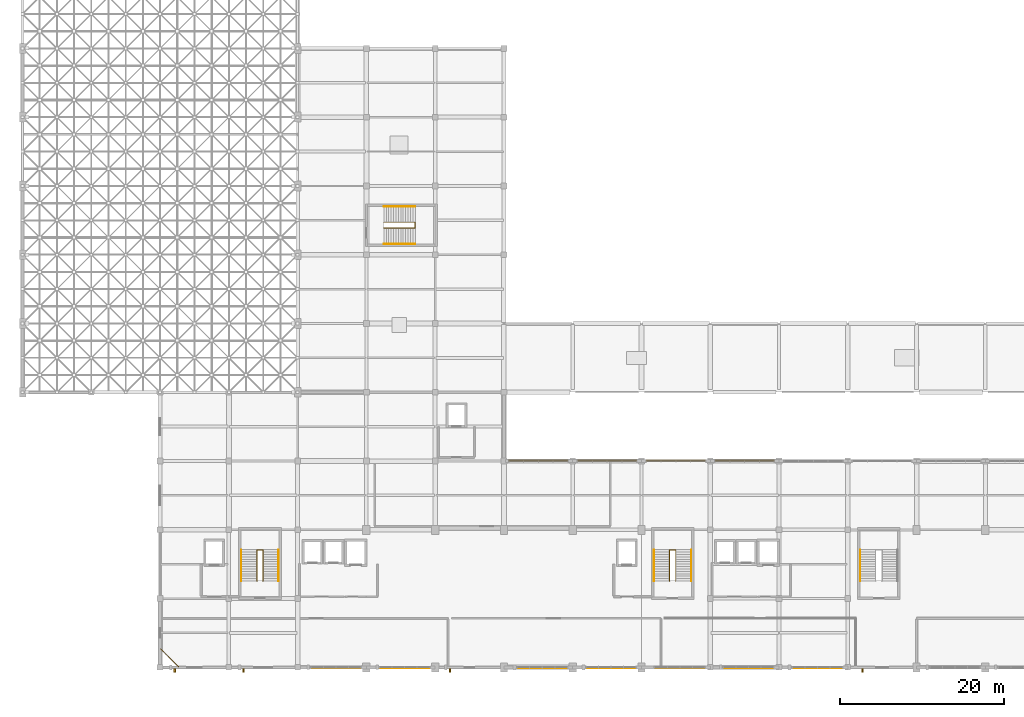
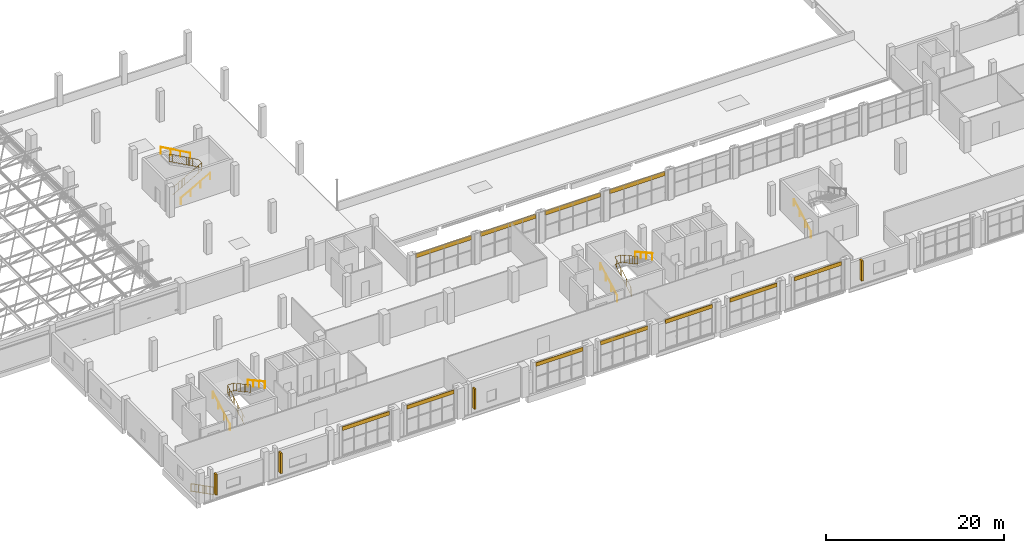
# One storey, part 61 of 64: 11 railings, 8 shading devices, 7 coverings.
"""IFC4 building model written with IfcOpenShell, lengths in metres."""

from ifc_helpers import new_model, si_unit, derived_unit, direction, frame, origin, origin_2d, place, context, subcontext, project, spatial, rectangle, circle, extrude, material, layer, layer_set, type_object, element, save


model = new_model("IFC4")

# Units and contexts
model_context = context("Model", 3, precision=1e-05, world=origin(), true_north=direction((0.0, 1.0)))
body_context = subcontext(model_context, "Body", "Model", "MODEL_VIEW")
ifc_project = project(units=[si_unit("LENGTHUNIT", "METRE"), si_unit("AREAUNIT", "SQUARE_METRE"), si_unit("VOLUMEUNIT", "CUBIC_METRE"), si_unit("PLANEANGLEUNIT", "RADIAN"), si_unit("MASSUNIT", "GRAM", prefix="KILO"), derived_unit("THERMALTRANSMITTANCEUNIT", [(si_unit("POWERUNIT", "WATT"), 1), (si_unit("LENGTHUNIT", "METRE"), -2), (si_unit("THERMODYNAMICTEMPERATUREUNIT", "KELVIN"), -1)])], contexts=[model_context])

# Site, building, storey
site_placement = place(None, origin())
site = spatial("IfcSite", under=ifc_project, at=site_placement, CompositionType="ELEMENT")
building_placement = place(site_placement, origin())
building = spatial("IfcBuilding", under=site, at=building_placement, Name="Barrovel Congress Hotel", CompositionType="ELEMENT")
storey_placement = place(building_placement, frame((0.0, 0.0, 14.10009765625)))
storey = spatial("IfcBuildingStorey", under=building, at=storey_placement, Name="L03", CompositionType="ELEMENT", Elevation=14.10009765625)

# Coverings
ifc_material_1 = material(Name="Glazed Terracotta Spandrel", Category="masonry")
ifc_layer_1 = layer(ifc_material_1, 0.1201171875)
ifc_layer_set_1 = layer_set([ifc_layer_1], Name="Glazed Terracotta Spandrel")
covering_type = type_object("IfcCoveringType", Name="COV-CLAD-TERRA", PredefinedType="CLADDING", material=ifc_layer_set_1)
for number, where, z_axis, x_axis, name in (
    (1, (38.280029296875, 4.14990234375, 3.409912109375), (0.0, 0.0, 1.0), (1.0, 0.0, 0.0), "CLAD:L03:S:04"),
    (2, (46.679931640625, 4.14990234375, 3.409912109375), (0.0, 0.0, 1.0), (1.0, 0.0, 0.0), "CLAD:L03:S:05"),
    (3, (63.47998046875, 4.14990234375, 3.409912109375), (0.0, 0.0, 1.0), (1.0, 0.0, 0.0), "CLAD:L03:S:07"),
    (4, (71.8798828125, 4.14990234375, 3.409912109375), (0.0, 0.0, 1.0), (1.0, 0.0, 0.0), "CLAD:L03:S:08"),
    (5, (80.280029296875, 4.14990234375, 3.409912109375), (0.0, 0.0, 1.0), (1.0, 0.0, 0.0), "CLAD:L03:S:09"),
    (6, (88.679931640625, 4.14990234375, 3.409912109375), (0.0, 0.0, 1.0), (1.0, 0.0, 0.0), "CLAD:L03:S:10"),
    (7, (97.080078125, 4.14990234375, 3.409912109375), (0.0, 0.0, 1.0), (1.0, 0.0, 0.0), "CLAD:L03:S:11"),
):
    element("IfcCovering", number, at=place(storey_placement, frame(where, z_axis=z_axis, x_axis=x_axis)), inside=storey, type_object=covering_type, Name=name, PredefinedType="CLADDING", context=body_context, shape_type="SweptSolid", body=[
        extrude(rectangle(XDim=6.1201171875, YDim=0.1201171875, at=origin_2d()), origin(), (0.0, 0.0, 1.0), 0.52001953125),
    ])

# Railings
ifc_material_2 = material(Name="Painted Architectural Steel", Category="steel")
ifc_layer_2 = layer(ifc_material_2, 0.070068359375)
ifc_layer_set_2 = layer_set([ifc_layer_2], Name="Painted Architectural Steel")
railing_type_1 = type_object("IfcRailingType", Name="RAIL-GUARD-INT", PredefinedType="BALUSTRADE", material=ifc_layer_set_2)
railing_1_placement = place(storey_placement, frame((28.6201171875, 14.739990234375, 0.0)))
element("IfcRailing", 8, at=railing_1_placement, inside=storey, type_object=railing_type_1, Name="STAIR:XS-01:L03:GR-W", PredefinedType="BALUSTRADE", context=body_context, shape_type="SweptSolid", body=[
    extrude(circle(Radius=0.02392578125, at=origin_2d()), frame((0.0, 0.0, 1.11572265625), z_axis=(0.0, 0.875521142395, 0.483179810442), x_axis=(-1.0, 0.0, 0.0)), (0.0, 0.0, 1.0), 4.345947265625),
    extrude(circle(Radius=0.02392578125, at=origin_2d()), frame((0.0, 0.0, 0.10009765625), z_axis=(0.0, 0.875521142395, 0.483179810442), x_axis=(-1.0, 0.0, 0.0)), (0.0, 0.0, 1.0), 4.345947265625),
    extrude(circle(Radius=0.010009765625, at=origin_2d()), frame((0.0, 0.38037109375, 0.31005859375)), (0.0, 0.0, 1.0), 0.99169921875),
    extrude(circle(Radius=0.010009765625, at=origin_2d()), frame((0.0, 0.760986328125, 0.52001953125)), (0.0, 0.0, 1.0), 0.99169921875),
    extrude(circle(Radius=0.010009765625, at=origin_2d()), frame((0.0, 1.1416015625, 0.72998046875)), (0.0, 0.0, 1.0), 0.99169921875),
    extrude(circle(Radius=0.010009765625, at=origin_2d()), frame((0.0, 1.52197265625, 0.93994140625)), (0.0, 0.0, 1.0), 0.99169921875),
    extrude(circle(Radius=0.010009765625, at=origin_2d()), frame((0.0, 1.90234375, 1.14990234375)), (0.0, 0.0, 1.0), 0.99169921875),
    extrude(circle(Radius=0.010009765625, at=origin_2d()), frame((0.0, 2.282958984375, 1.35986328125)), (0.0, 0.0, 1.0), 0.99169921875),
    extrude(circle(Radius=0.010009765625, at=origin_2d()), frame((0.0, 2.66357421875, 1.56982421875)), (0.0, 0.0, 1.0), 0.99169921875),
    extrude(circle(Radius=0.010009765625, at=origin_2d()), frame((0.0, 3.0439453125, 1.77978515625)), (0.0, 0.0, 1.0), 0.99169921875),
    extrude(circle(Radius=0.010009765625, at=origin_2d()), frame((0.0, 3.42431640625, 1.989990234375)), (0.0, 0.0, 1.0), 0.99169921875),
    extrude(circle(Radius=0.02392578125, at=origin_2d()), frame((0.0, 3.804931640625, 3.2158203125), z_axis=(1.0, 0.0, 0.0), x_axis=(0.0, 1.0, 0.0)), (0.0, 0.0, 1.0), 0.759765625),
    extrude(circle(Radius=0.02392578125, at=origin_2d()), frame((0.0, 3.804931640625, 2.199951171875), z_axis=(1.0, 0.0, 0.0), x_axis=(0.0, 1.0, 0.0)), (0.0, 0.0, 1.0), 0.759765625),
    extrude(circle(Radius=0.010009765625, at=origin_2d()), frame((0.3798828125, 3.804931640625, 2.199951171875)), (0.0, 0.0, 1.0), 0.99169921875),
    extrude(circle(Radius=0.02392578125, at=origin_2d()), frame((0.759765625, 3.804931640625, 3.2158203125), z_axis=(0.0, -0.875497377122, 0.483222870581), x_axis=(1.0, 0.0, 0.0)), (0.0, 0.0, 1.0), 4.345947265625),
    extrude(circle(Radius=0.02392578125, at=origin_2d()), frame((0.759765625, 3.804931640625, 2.199951171875), z_axis=(0.0, -0.875497377122, 0.483222870581), x_axis=(1.0, 0.0, 0.0)), (0.0, 0.0, 1.0), 4.345947265625),
    extrude(circle(Radius=0.010009765625, at=origin_2d()), frame((0.759765625, 3.42431640625, 2.409912109375)), (0.0, 0.0, 1.0), 0.99169921875),
    extrude(circle(Radius=0.010009765625, at=origin_2d()), frame((0.759765625, 3.0439453125, 2.619873046875)), (0.0, 0.0, 1.0), 0.99169921875),
    extrude(circle(Radius=0.010009765625, at=origin_2d()), frame((0.759765625, 2.66357421875, 2.829833984375)), (0.0, 0.0, 1.0), 0.99169921875),
    extrude(circle(Radius=0.010009765625, at=origin_2d()), frame((0.759765625, 2.282958984375, 3.039794921875)), (0.0, 0.0, 1.0), 0.99169921875),
    extrude(circle(Radius=0.010009765625, at=origin_2d()), frame((0.759765625, 1.90234375, 3.25)), (0.0, 0.0, 1.0), 0.99169921875),
    extrude(circle(Radius=0.010009765625, at=origin_2d()), frame((0.759765625, 1.52197265625, 3.4599609375)), (0.0, 0.0, 1.0), 0.99169921875),
    extrude(circle(Radius=0.010009765625, at=origin_2d()), frame((0.759765625, 1.1416015625, 3.669921875)), (0.0, 0.0, 1.0), 0.99169921875),
    extrude(circle(Radius=0.010009765625, at=origin_2d()), frame((0.759765625, 0.760986328125, 3.8798828125)), (0.0, 0.0, 1.0), 0.99169921875),
    extrude(circle(Radius=0.010009765625, at=origin_2d()), frame((0.759765625, 0.38037109375, 4.08984375)), (0.0, 0.0, 1.0), 0.99169921875),
    extrude(circle(Radius=0.02099609375, at=origin_2d()), origin(), (0.0, 0.0, 1.0), 1.091796875),
    extrude(circle(Radius=0.02099609375, at=origin_2d()), frame((0.0, 1.268310546875, 0.699951171875)), (0.0, 0.0, 1.0), 1.091796875),
    extrude(circle(Radius=0.02099609375, at=origin_2d()), frame((0.0, 2.53662109375, 1.39990234375)), (0.0, 0.0, 1.0), 1.091796875),
    extrude(circle(Radius=0.02099609375, at=origin_2d()), frame((0.0, 3.804931640625, 2.099853515625)), (0.0, 0.0, 1.0), 1.091796875),
    extrude(circle(Radius=0.02099609375, at=origin_2d()), frame((0.759765625, 3.804931640625, 2.099853515625)), (0.0, 0.0, 1.0), 1.091796875),
    extrude(circle(Radius=0.02099609375, at=origin_2d()), frame((0.759765625, 2.53662109375, 2.7998046875)), (0.0, 0.0, 1.0), 1.091796875),
    extrude(circle(Radius=0.02099609375, at=origin_2d()), frame((0.759765625, 1.268310546875, 3.5)), (0.0, 0.0, 1.0), 1.091796875),
    extrude(circle(Radius=0.02099609375, at=origin_2d()), frame((0.759765625, 0.0, 4.199951171875)), (0.0, 0.0, 1.0), 1.091796875),
])
railing_2_placement = place(storey_placement, frame((79.02001953125, 14.739990234375, 0.0)))
element("IfcRailing", 9, at=railing_2_placement, inside=storey, type_object=railing_type_1, Name="STAIR:XS-02:L03:GR-W", PredefinedType="BALUSTRADE", context=body_context, shape_type="SweptSolid", body=[
    extrude(circle(Radius=0.02392578125, at=origin_2d()), frame((0.0, 0.0, 1.11572265625), z_axis=(0.0, 0.875521142395, 0.483179810442), x_axis=(-1.0, 0.0, 0.0)), (0.0, 0.0, 1.0), 4.345947265625),
    extrude(circle(Radius=0.02392578125, at=origin_2d()), frame((0.0, 0.0, 0.10009765625), z_axis=(0.0, 0.875521142395, 0.483179810442), x_axis=(-1.0, 0.0, 0.0)), (0.0, 0.0, 1.0), 4.345947265625),
    extrude(circle(Radius=0.010009765625, at=origin_2d()), frame((0.0, 0.38037109375, 0.31005859375)), (0.0, 0.0, 1.0), 0.99169921875),
    extrude(circle(Radius=0.010009765625, at=origin_2d()), frame((0.0, 0.760986328125, 0.52001953125)), (0.0, 0.0, 1.0), 0.99169921875),
    extrude(circle(Radius=0.010009765625, at=origin_2d()), frame((0.0, 1.1416015625, 0.72998046875)), (0.0, 0.0, 1.0), 0.99169921875),
    extrude(circle(Radius=0.010009765625, at=origin_2d()), frame((0.0, 1.52197265625, 0.93994140625)), (0.0, 0.0, 1.0), 0.99169921875),
    extrude(circle(Radius=0.010009765625, at=origin_2d()), frame((0.0, 1.90234375, 1.14990234375)), (0.0, 0.0, 1.0), 0.99169921875),
    extrude(circle(Radius=0.010009765625, at=origin_2d()), frame((0.0, 2.282958984375, 1.35986328125)), (0.0, 0.0, 1.0), 0.99169921875),
    extrude(circle(Radius=0.010009765625, at=origin_2d()), frame((0.0, 2.66357421875, 1.56982421875)), (0.0, 0.0, 1.0), 0.99169921875),
    extrude(circle(Radius=0.010009765625, at=origin_2d()), frame((0.0, 3.0439453125, 1.77978515625)), (0.0, 0.0, 1.0), 0.99169921875),
    extrude(circle(Radius=0.010009765625, at=origin_2d()), frame((0.0, 3.42431640625, 1.989990234375)), (0.0, 0.0, 1.0), 0.99169921875),
    extrude(circle(Radius=0.02392578125, at=origin_2d()), frame((0.0, 3.804931640625, 3.2158203125), z_axis=(1.0, 0.0, 0.0), x_axis=(0.0, 1.0, 0.0)), (0.0, 0.0, 1.0), 0.760009765625),
    extrude(circle(Radius=0.02392578125, at=origin_2d()), frame((0.0, 3.804931640625, 2.199951171875), z_axis=(1.0, 0.0, 0.0), x_axis=(0.0, 1.0, 0.0)), (0.0, 0.0, 1.0), 0.760009765625),
    extrude(circle(Radius=0.010009765625, at=origin_2d()), frame((0.3798828125, 3.804931640625, 2.199951171875)), (0.0, 0.0, 1.0), 0.99169921875),
    extrude(circle(Radius=0.02392578125, at=origin_2d()), frame((0.760009765625, 3.804931640625, 3.2158203125), z_axis=(0.0, -0.875497377122, 0.483222870581), x_axis=(1.0, 0.0, 0.0)), (0.0, 0.0, 1.0), 4.345947265625),
    extrude(circle(Radius=0.02392578125, at=origin_2d()), frame((0.760009765625, 3.804931640625, 2.199951171875), z_axis=(0.0, -0.875497377122, 0.483222870581), x_axis=(1.0, 0.0, 0.0)), (0.0, 0.0, 1.0), 4.345947265625),
    extrude(circle(Radius=0.010009765625, at=origin_2d()), frame((0.760009765625, 3.42431640625, 2.409912109375)), (0.0, 0.0, 1.0), 0.99169921875),
    extrude(circle(Radius=0.010009765625, at=origin_2d()), frame((0.760009765625, 3.0439453125, 2.619873046875)), (0.0, 0.0, 1.0), 0.99169921875),
    extrude(circle(Radius=0.010009765625, at=origin_2d()), frame((0.760009765625, 2.66357421875, 2.829833984375)), (0.0, 0.0, 1.0), 0.99169921875),
    extrude(circle(Radius=0.010009765625, at=origin_2d()), frame((0.760009765625, 2.282958984375, 3.039794921875)), (0.0, 0.0, 1.0), 0.99169921875),
    extrude(circle(Radius=0.010009765625, at=origin_2d()), frame((0.760009765625, 1.90234375, 3.25)), (0.0, 0.0, 1.0), 0.99169921875),
    extrude(circle(Radius=0.010009765625, at=origin_2d()), frame((0.760009765625, 1.52197265625, 3.4599609375)), (0.0, 0.0, 1.0), 0.99169921875),
    extrude(circle(Radius=0.010009765625, at=origin_2d()), frame((0.760009765625, 1.1416015625, 3.669921875)), (0.0, 0.0, 1.0), 0.99169921875),
    extrude(circle(Radius=0.010009765625, at=origin_2d()), frame((0.760009765625, 0.760986328125, 3.8798828125)), (0.0, 0.0, 1.0), 0.99169921875),
    extrude(circle(Radius=0.010009765625, at=origin_2d()), frame((0.760009765625, 0.38037109375, 4.08984375)), (0.0, 0.0, 1.0), 0.99169921875),
    extrude(circle(Radius=0.02099609375, at=origin_2d()), origin(), (0.0, 0.0, 1.0), 1.091796875),
    extrude(circle(Radius=0.02099609375, at=origin_2d()), frame((0.0, 1.268310546875, 0.699951171875)), (0.0, 0.0, 1.0), 1.091796875),
    extrude(circle(Radius=0.02099609375, at=origin_2d()), frame((0.0, 2.53662109375, 1.39990234375)), (0.0, 0.0, 1.0), 1.091796875),
    extrude(circle(Radius=0.02099609375, at=origin_2d()), frame((0.0, 3.804931640625, 2.099853515625)), (0.0, 0.0, 1.0), 1.091796875),
    extrude(circle(Radius=0.02099609375, at=origin_2d()), frame((0.760009765625, 3.804931640625, 2.099853515625)), (0.0, 0.0, 1.0), 1.091796875),
    extrude(circle(Radius=0.02099609375, at=origin_2d()), frame((0.760009765625, 2.53662109375, 2.7998046875)), (0.0, 0.0, 1.0), 1.091796875),
    extrude(circle(Radius=0.02099609375, at=origin_2d()), frame((0.760009765625, 1.268310546875, 3.5)), (0.0, 0.0, 1.0), 1.091796875),
    extrude(circle(Radius=0.02099609375, at=origin_2d()), frame((0.760009765625, 0.0, 4.199951171875)), (0.0, 0.0, 1.0), 1.091796875),
])
railing_3_placement = place(storey_placement, frame((44.139892578125, 57.840087890625, 0.0)))
element("IfcRailing", 10, at=railing_3_placement, inside=storey, type_object=railing_type_1, Name="STAIR:XS-05:L03:GR-W", PredefinedType="BALUSTRADE", context=body_context, shape_type="SweptSolid", body=[
    extrude(circle(Radius=0.02392578125, at=origin_2d()), frame((0.0, 0.0, 1.11572265625), z_axis=(0.875534256702, 0.0, 0.483156046574), x_axis=(0.0, 1.0, 0.0)), (0.0, 0.0, 1.0), 4.34619140625),
    extrude(circle(Radius=0.02392578125, at=origin_2d()), frame((0.0, 0.0, 0.10009765625), z_axis=(0.875534256702, 0.0, 0.483156046574), x_axis=(0.0, 1.0, 0.0)), (0.0, 0.0, 1.0), 4.34619140625),
    extrude(circle(Radius=0.010009765625, at=origin_2d()), frame((0.380615234375, 0.0, 0.31005859375)), (0.0, 0.0, 1.0), 0.99169921875),
    extrude(circle(Radius=0.010009765625, at=origin_2d()), frame((0.760986328125, 0.0, 0.52001953125)), (0.0, 0.0, 1.0), 0.99169921875),
    extrude(circle(Radius=0.010009765625, at=origin_2d()), frame((1.1416015625, 0.0, 0.72998046875)), (0.0, 0.0, 1.0), 0.99169921875),
    extrude(circle(Radius=0.010009765625, at=origin_2d()), frame((1.52197265625, 0.0, 0.93994140625)), (0.0, 0.0, 1.0), 0.99169921875),
    extrude(circle(Radius=0.010009765625, at=origin_2d()), frame((1.902587890625, 0.0, 1.14990234375)), (0.0, 0.0, 1.0), 0.99169921875),
    extrude(circle(Radius=0.010009765625, at=origin_2d()), frame((2.283203125, 0.0, 1.35986328125)), (0.0, 0.0, 1.0), 0.99169921875),
    extrude(circle(Radius=0.010009765625, at=origin_2d()), frame((2.66357421875, 0.0, 1.56982421875)), (0.0, 0.0, 1.0), 0.99169921875),
    extrude(circle(Radius=0.010009765625, at=origin_2d()), frame((3.044189453125, 0.0, 1.77978515625)), (0.0, 0.0, 1.0), 0.99169921875),
    extrude(circle(Radius=0.010009765625, at=origin_2d()), frame((3.424560546875, 0.0, 1.989990234375)), (0.0, 0.0, 1.0), 0.99169921875),
    extrude(circle(Radius=0.02392578125, at=origin_2d()), frame((3.80517578125, 0.0, 3.2158203125), z_axis=(0.0, 1.0, 0.0), x_axis=(-1.0, 0.0, 0.0)), (0.0, 0.0, 1.0), 0.719970703125),
    extrude(circle(Radius=0.02392578125, at=origin_2d()), frame((3.80517578125, 0.0, 2.199951171875), z_axis=(0.0, 1.0, 0.0), x_axis=(-1.0, 0.0, 0.0)), (0.0, 0.0, 1.0), 0.719970703125),
    extrude(circle(Radius=0.010009765625, at=origin_2d()), frame((3.80517578125, 0.35986328125, 2.199951171875)), (0.0, 0.0, 1.0), 0.99169921875),
    extrude(circle(Radius=0.02392578125, at=origin_2d()), frame((3.80517578125, 0.719970703125, 3.2158203125), z_axis=(-0.875510493411, 0.0, 0.483199105885), x_axis=(0.0, -1.0, 0.0)), (0.0, 0.0, 1.0), 4.34619140625),
    extrude(circle(Radius=0.02392578125, at=origin_2d()), frame((3.80517578125, 0.719970703125, 2.199951171875), z_axis=(-0.875510493411, 0.0, 0.483199105885), x_axis=(0.0, -1.0, 0.0)), (0.0, 0.0, 1.0), 4.34619140625),
    extrude(circle(Radius=0.010009765625, at=origin_2d()), frame((3.424560546875, 0.719970703125, 2.409912109375)), (0.0, 0.0, 1.0), 0.99169921875),
    extrude(circle(Radius=0.010009765625, at=origin_2d()), frame((3.044189453125, 0.719970703125, 2.619873046875)), (0.0, 0.0, 1.0), 0.99169921875),
    extrude(circle(Radius=0.010009765625, at=origin_2d()), frame((2.66357421875, 0.719970703125, 2.829833984375)), (0.0, 0.0, 1.0), 0.99169921875),
    extrude(circle(Radius=0.010009765625, at=origin_2d()), frame((2.283203125, 0.719970703125, 3.039794921875)), (0.0, 0.0, 1.0), 0.99169921875),
    extrude(circle(Radius=0.010009765625, at=origin_2d()), frame((1.902587890625, 0.719970703125, 3.25)), (0.0, 0.0, 1.0), 0.99169921875),
    extrude(circle(Radius=0.010009765625, at=origin_2d()), frame((1.52197265625, 0.719970703125, 3.4599609375)), (0.0, 0.0, 1.0), 0.99169921875),
    extrude(circle(Radius=0.010009765625, at=origin_2d()), frame((1.1416015625, 0.719970703125, 3.669921875)), (0.0, 0.0, 1.0), 0.99169921875),
    extrude(circle(Radius=0.010009765625, at=origin_2d()), frame((0.760986328125, 0.719970703125, 3.8798828125)), (0.0, 0.0, 1.0), 0.99169921875),
    extrude(circle(Radius=0.010009765625, at=origin_2d()), frame((0.380615234375, 0.719970703125, 4.08984375)), (0.0, 0.0, 1.0), 0.99169921875),
    extrude(circle(Radius=0.02099609375, at=origin_2d()), origin(), (0.0, 0.0, 1.0), 1.091796875),
    extrude(circle(Radius=0.02099609375, at=origin_2d()), frame((1.268310546875, 0.0, 0.699951171875)), (0.0, 0.0, 1.0), 1.091796875),
    extrude(circle(Radius=0.02099609375, at=origin_2d()), frame((2.536865234375, 0.0, 1.39990234375)), (0.0, 0.0, 1.0), 1.091796875),
    extrude(circle(Radius=0.02099609375, at=origin_2d()), frame((3.80517578125, 0.0, 2.099853515625)), (0.0, 0.0, 1.0), 1.091796875),
    extrude(circle(Radius=0.02099609375, at=origin_2d()), frame((3.80517578125, 0.719970703125, 2.099853515625)), (0.0, 0.0, 1.0), 1.091796875),
    extrude(circle(Radius=0.02099609375, at=origin_2d()), frame((2.536865234375, 0.719970703125, 2.7998046875)), (0.0, 0.0, 1.0), 1.091796875),
    extrude(circle(Radius=0.02099609375, at=origin_2d()), frame((1.268310546875, 0.719970703125, 3.5)), (0.0, 0.0, 1.0), 1.091796875),
    extrude(circle(Radius=0.02099609375, at=origin_2d()), frame((0.0, 0.719970703125, 4.199951171875)), (0.0, 0.0, 1.0), 1.091796875),
])
railing_4_placement = place(storey_placement, frame((19.050048828125, 4.280029296875, 0.0)))
element("IfcRailing", 11, at=railing_4_placement, inside=storey, type_object=railing_type_1, Name="RAIL:L03:CG-V41", PredefinedType="BALUSTRADE", context=body_context, shape_type="SweptSolid", body=[
    extrude(circle(Radius=0.02392578125, at=origin_2d()), frame((0.0, 0.0, 1.11572265625), z_axis=(-0.707146556564, 0.707067003571, 0.0), x_axis=(-0.707067003571, -0.707146556564, 0.0)), (0.0, 0.0, 1.0), 3.06884765625),
    extrude(circle(Radius=0.02392578125, at=origin_2d()), frame((0.0, 0.0, 0.10009765625), z_axis=(-0.707146556564, 0.707067003571, 0.0), x_axis=(-0.707067003571, -0.707146556564, 0.0)), (0.0, 0.0, 1.0), 3.06884765625),
    extrude(circle(Radius=0.010009765625, at=origin_2d()), frame((-0.31005859375, 0.31005859375, 0.10009765625)), (0.0, 0.0, 1.0), 0.99169921875),
    extrude(circle(Radius=0.010009765625, at=origin_2d()), frame((-0.6201171875, 0.619873046875, 0.10009765625)), (0.0, 0.0, 1.0), 0.99169921875),
    extrude(circle(Radius=0.010009765625, at=origin_2d()), frame((-0.93017578125, 0.929931640625, 0.10009765625)), (0.0, 0.0, 1.0), 0.99169921875),
    extrude(circle(Radius=0.010009765625, at=origin_2d()), frame((-1.239990234375, 1.239990234375, 0.10009765625)), (0.0, 0.0, 1.0), 0.99169921875),
    extrude(circle(Radius=0.010009765625, at=origin_2d()), frame((-1.550048828125, 1.550048828125, 0.10009765625)), (0.0, 0.0, 1.0), 0.99169921875),
    extrude(circle(Radius=0.010009765625, at=origin_2d()), frame((-1.860107421875, 1.85986328125, 0.10009765625)), (0.0, 0.0, 1.0), 0.99169921875),
    extrude(circle(Radius=0.02099609375, at=origin_2d()), origin(), (0.0, 0.0, 1.0), 1.091796875),
    extrude(circle(Radius=0.02099609375, at=origin_2d()), frame((-1.0849609375, 1.0849609375, 0.0)), (0.0, 0.0, 1.0), 1.091796875),
    extrude(circle(Radius=0.02099609375, at=origin_2d()), frame((-2.170166015625, 2.169921875, 0.0)), (0.0, 0.0, 1.0), 1.091796875),
])
ifc_material_3 = material(Name="Brushed Stainless Steel", Category="steel")
ifc_layer_3 = layer(ifc_material_3, 0.050048828125)
ifc_layer_set_3 = layer_set([ifc_layer_3], Name="Brushed Stainless Steel")
railing_type_2 = type_object("IfcRailingType", Name="RAIL-HAND", PredefinedType="HANDRAIL", material=ifc_layer_set_3)
railing_5_placement = place(storey_placement, frame((26.719970703125, 14.739990234375, 0.0)))
element("IfcRailing", 12, at=railing_5_placement, inside=storey, type_object=railing_type_2, Name="STAIR:XS-01:L03:HR-1", PredefinedType="HANDRAIL", context=body_context, shape_type="SweptSolid", body=[
    extrude(circle(Radius=0.02392578125, at=origin_2d()), frame((0.0, 0.0, 0.89599609375), z_axis=(0.0, 0.875521142395, 0.483179810442), x_axis=(-1.0, 0.0, 0.0)), (0.0, 0.0, 1.0), 4.345947265625),
    extrude(circle(Radius=0.02099609375, at=origin_2d()), origin(), (0.0, 0.0, 1.0), 0.871826171875),
    extrude(circle(Radius=0.02099609375, at=origin_2d()), frame((0.0, 1.268310546875, 0.699951171875)), (0.0, 0.0, 1.0), 0.871826171875),
    extrude(circle(Radius=0.02099609375, at=origin_2d()), frame((0.0, 2.53662109375, 1.39990234375)), (0.0, 0.0, 1.0), 0.871826171875),
    extrude(circle(Radius=0.02099609375, at=origin_2d()), frame((0.0, 3.804931640625, 2.099853515625)), (0.0, 0.0, 1.0), 0.871826171875),
])
railing_6_placement = place(storey_placement, frame((31.280029296875, 18.544921875, 2.099853515625)))
element("IfcRailing", 13, at=railing_6_placement, inside=storey, type_object=railing_type_2, Name="STAIR:XS-01:L03:HR-2", PredefinedType="HANDRAIL", context=body_context, shape_type="SweptSolid", body=[
    extrude(circle(Radius=0.02392578125, at=origin_2d()), frame((0.0, 0.0, 0.89599609375), z_axis=(0.0, -0.875497377122, 0.483222870581), x_axis=(1.0, 0.0, 0.0)), (0.0, 0.0, 1.0), 4.345947265625),
    extrude(circle(Radius=0.02099609375, at=origin_2d()), origin(), (0.0, 0.0, 1.0), 0.871826171875),
    extrude(circle(Radius=0.02099609375, at=origin_2d()), frame((0.0, -1.268310546875, 0.699951171875)), (0.0, 0.0, 1.0), 0.871826171875),
    extrude(circle(Radius=0.02099609375, at=origin_2d()), frame((0.0, -2.53662109375, 1.400146484375)), (0.0, 0.0, 1.0), 0.871826171875),
    extrude(circle(Radius=0.02099609375, at=origin_2d()), frame((0.0, -3.804931640625, 2.10009765625)), (0.0, 0.0, 1.0), 0.871826171875),
])
railing_7_placement = place(storey_placement, frame((77.1201171875, 14.739990234375, 0.0)))
element("IfcRailing", 14, at=railing_7_placement, inside=storey, type_object=railing_type_2, Name="STAIR:XS-02:L03:HR-1", PredefinedType="HANDRAIL", context=body_context, shape_type="SweptSolid", body=[
    extrude(circle(Radius=0.02392578125, at=origin_2d()), frame((0.0, 0.0, 0.89599609375), z_axis=(0.0, 0.875521142395, 0.483179810442), x_axis=(-1.0, 0.0, 0.0)), (0.0, 0.0, 1.0), 4.345947265625),
    extrude(circle(Radius=0.02099609375, at=origin_2d()), origin(), (0.0, 0.0, 1.0), 0.871826171875),
    extrude(circle(Radius=0.02099609375, at=origin_2d()), frame((0.0, 1.268310546875, 0.699951171875)), (0.0, 0.0, 1.0), 0.871826171875),
    extrude(circle(Radius=0.02099609375, at=origin_2d()), frame((0.0, 2.53662109375, 1.39990234375)), (0.0, 0.0, 1.0), 0.871826171875),
    extrude(circle(Radius=0.02099609375, at=origin_2d()), frame((0.0, 3.804931640625, 2.099853515625)), (0.0, 0.0, 1.0), 0.871826171875),
])
railing_8_placement = place(storey_placement, frame((81.679931640625, 18.544921875, 2.099853515625)))
element("IfcRailing", 15, at=railing_8_placement, inside=storey, type_object=railing_type_2, Name="STAIR:XS-02:L03:HR-2", PredefinedType="HANDRAIL", context=body_context, shape_type="SweptSolid", body=[
    extrude(circle(Radius=0.02392578125, at=origin_2d()), frame((0.0, 0.0, 0.89599609375), z_axis=(0.0, -0.875497377122, 0.483222870581), x_axis=(1.0, 0.0, 0.0)), (0.0, 0.0, 1.0), 4.345947265625),
    extrude(circle(Radius=0.02099609375, at=origin_2d()), origin(), (0.0, 0.0, 1.0), 0.871826171875),
    extrude(circle(Radius=0.02099609375, at=origin_2d()), frame((0.0, -1.268310546875, 0.699951171875)), (0.0, 0.0, 1.0), 0.871826171875),
    extrude(circle(Radius=0.02099609375, at=origin_2d()), frame((0.0, -2.53662109375, 1.400146484375)), (0.0, 0.0, 1.0), 0.871826171875),
    extrude(circle(Radius=0.02099609375, at=origin_2d()), frame((0.0, -3.804931640625, 2.10009765625)), (0.0, 0.0, 1.0), 0.871826171875),
])
railing_9_placement = place(storey_placement, frame((102.320068359375, 14.739990234375, 0.0)))
element("IfcRailing", 16, at=railing_9_placement, inside=storey, type_object=railing_type_2, Name="STAIR:XS-03:L03:HR-1", PredefinedType="HANDRAIL", context=body_context, shape_type="SweptSolid", body=[
    extrude(circle(Radius=0.02392578125, at=origin_2d()), frame((0.0, 0.0, 0.89599609375), z_axis=(0.0, 0.875521142395, 0.483179810442), x_axis=(-1.0, 0.0, 0.0)), (0.0, 0.0, 1.0), 4.345947265625),
    extrude(circle(Radius=0.02099609375, at=origin_2d()), origin(), (0.0, 0.0, 1.0), 0.871826171875),
    extrude(circle(Radius=0.02099609375, at=origin_2d()), frame((0.0, 1.268310546875, 0.699951171875)), (0.0, 0.0, 1.0), 0.871826171875),
    extrude(circle(Radius=0.02099609375, at=origin_2d()), frame((0.0, 2.53662109375, 1.39990234375)), (0.0, 0.0, 1.0), 0.871826171875),
    extrude(circle(Radius=0.02099609375, at=origin_2d()), frame((0.0, 3.804931640625, 2.099853515625)), (0.0, 0.0, 1.0), 0.871826171875),
])
railing_10_placement = place(storey_placement, frame((44.139892578125, 55.919921875, 0.0)))
element("IfcRailing", 17, at=railing_10_placement, inside=storey, type_object=railing_type_2, Name="STAIR:XS-05:L03:HR-1", PredefinedType="HANDRAIL", context=body_context, shape_type="SweptSolid", body=[
    extrude(circle(Radius=0.02392578125, at=origin_2d()), frame((0.0, 0.0, 0.89599609375), z_axis=(0.875534256702, 0.0, 0.483156046574), x_axis=(0.0, 1.0, 0.0)), (0.0, 0.0, 1.0), 4.34619140625),
    extrude(circle(Radius=0.02099609375, at=origin_2d()), origin(), (0.0, 0.0, 1.0), 0.871826171875),
    extrude(circle(Radius=0.02099609375, at=origin_2d()), frame((1.268310546875, 0.0, 0.699951171875)), (0.0, 0.0, 1.0), 0.871826171875),
    extrude(circle(Radius=0.02099609375, at=origin_2d()), frame((2.536865234375, 0.0, 1.39990234375)), (0.0, 0.0, 1.0), 0.871826171875),
    extrude(circle(Radius=0.02099609375, at=origin_2d()), frame((3.80517578125, 0.0, 2.099853515625)), (0.0, 0.0, 1.0), 0.871826171875),
])
railing_11_placement = place(storey_placement, frame((47.945068359375, 60.47998046875, 2.099853515625)))
element("IfcRailing", 18, at=railing_11_placement, inside=storey, type_object=railing_type_2, Name="STAIR:XS-05:L03:HR-2", PredefinedType="HANDRAIL", context=body_context, shape_type="SweptSolid", body=[
    extrude(circle(Radius=0.02392578125, at=origin_2d()), frame((0.0, 0.0, 0.89599609375), z_axis=(-0.875510493411, 0.0, 0.483199105885), x_axis=(0.0, -1.0, 0.0)), (0.0, 0.0, 1.0), 4.34619140625),
    extrude(circle(Radius=0.02099609375, at=origin_2d()), origin(), (0.0, 0.0, 1.0), 0.871826171875),
    extrude(circle(Radius=0.02099609375, at=origin_2d()), frame((-1.268310546875, 0.0, 0.699951171875)), (0.0, 0.0, 1.0), 0.871826171875),
    extrude(circle(Radius=0.02099609375, at=origin_2d()), frame((-2.536865234375, 0.0, 1.400146484375)), (0.0, 0.0, 1.0), 0.871826171875),
    extrude(circle(Radius=0.02099609375, at=origin_2d()), frame((-3.80517578125, 0.0, 2.10009765625)), (0.0, 0.0, 1.0), 0.871826171875),
])

# Shading devices
ifc_material_4 = material(Name="Extruded Terracotta Louvres", Category="masonry")
shading_device_type_1 = type_object("IfcShadingDeviceType", Name="SHD-CELOSIA", PredefinedType="JALOUSIE", material=ifc_material_4)
for number, where, z_axis, x_axis, name in (
    (19, (88.199951171875, 29.4599609375, 3.36474609375), (0.0, 0.0, 1.0), (1.0, 0.0, 0.0), "CEL:L03:CS:10"),
    (20, (79.800048828125, 29.4599609375, 3.36474609375), (0.0, 0.0, 1.0), (1.0, 0.0, 0.0), "CEL:L03:CS:09"),
    (21, (71.39990234375, 29.4599609375, 3.36474609375), (0.0, 0.0, 1.0), (1.0, 0.0, 0.0), "CEL:L03:CS:08"),
    (22, (63.0, 29.4599609375, 3.36474609375), (0.0, 0.0, 1.0), (1.0, 0.0, 0.0), "CEL:L03:CS:07"),
):
    element("IfcShadingDevice", number, at=place(storey_placement, frame(where, z_axis=z_axis, x_axis=x_axis)), inside=storey, type_object=shading_device_type_1, Name=name, PredefinedType="JALOUSIE", context=body_context, shape_type="SweptSolid", body=[
        extrude(rectangle(XDim=7.199951171875, YDim=0.179931640625, at=origin_2d()), origin(), (0.0, 0.0, 1.0), 0.550048828125),
    ])
ifc_material_5 = material(Name="Fired Clay Brick Masonry", Category="masonry")
shading_device_type_2 = type_object("IfcShadingDeviceType", Name="SHD-FIN", PredefinedType="USERDEFINED", material=ifc_material_5)
for number, where, z_axis, x_axis, name in (
    (23, (18.60009765625, 3.820068359375, 0.69970703125), (0.0, 0.0, 1.0), (1.0, 0.0, 0.0), "FIN:L03:S:02"),
    (24, (27.0, 3.820068359375, 0.69970703125), (0.0, 0.0, 1.0), (1.0, 0.0, 0.0), "FIN:L03:S:03"),
    (25, (52.199951171875, 3.820068359375, 0.69970703125), (0.0, 0.0, 1.0), (1.0, 0.0, 0.0), "FIN:L03:S:06"),
    (26, (102.60009765625, 3.820068359375, 0.69970703125), (0.0, 0.0, 1.0), (1.0, 0.0, 0.0), "FIN:L03:S:12"),
):
    element("IfcShadingDevice", number, at=place(storey_placement, frame(where, z_axis=z_axis, x_axis=x_axis)), inside=storey, type_object=shading_device_type_2, Name=name, ObjectType="SOLAR FIN", PredefinedType="USERDEFINED", context=body_context, shape_type="SweptSolid", body=[
        extrude(rectangle(XDim=0.219970703125, YDim=0.449951171875, at=origin_2d()), origin(), (0.0, 0.0, 1.0), 2.800048828125),
    ])

save(model, "model.ifc")
